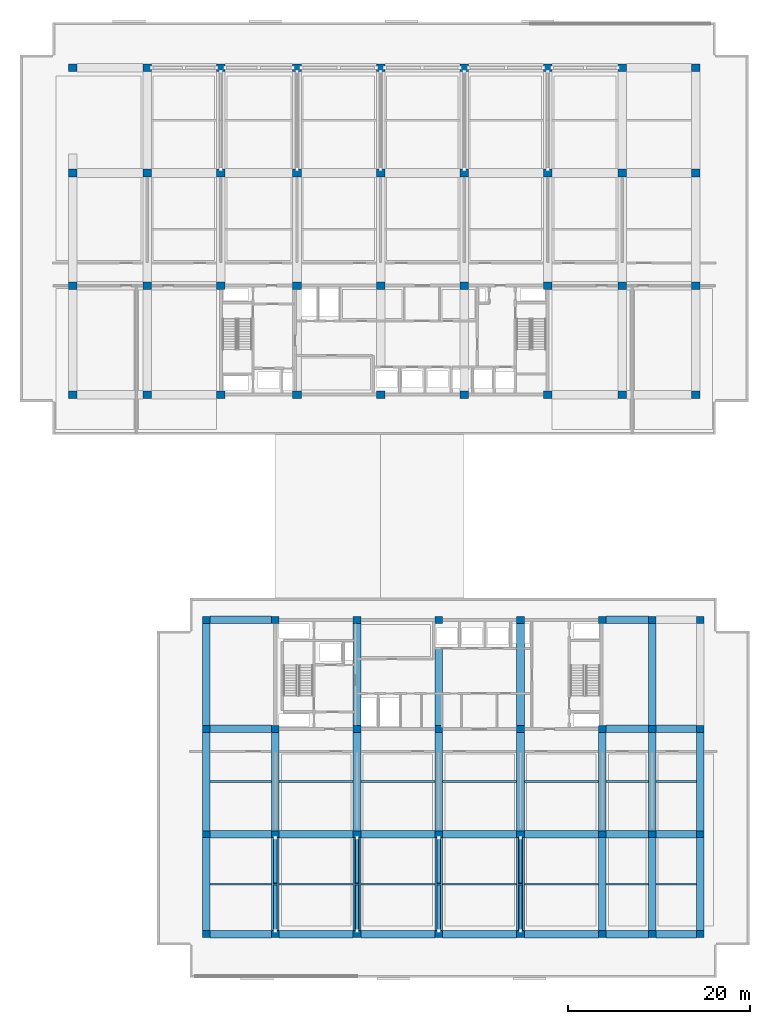
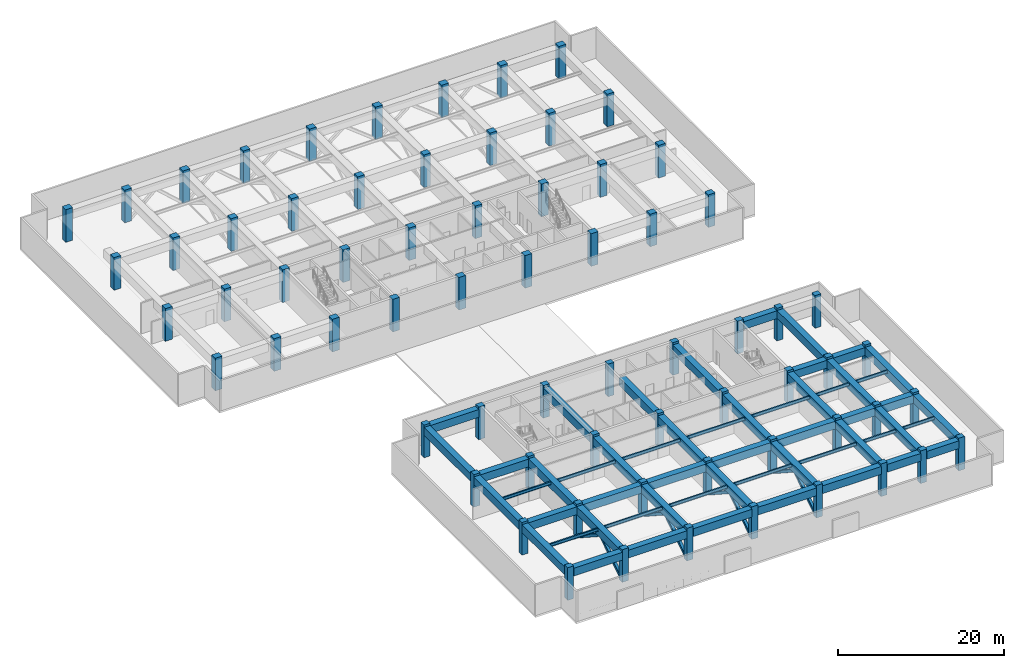
# One storey, part 1 of 22: 68 columns, 54 beams, 8 members.
"""IFC4 building model written with IfcOpenShell, lengths in metres."""

from ifc_helpers import new_model, si_unit, direction, frame, origin, origin_2d, place, context, subcontext, project, spatial, rectangle, hollow_rectangle, i_section, extrude, material, material_profile, profile_set, type_object, element, save


model = new_model("IFC4")

# Units and contexts
model_context = context("Model", 3, precision=1e-05, world=origin(), true_north=direction((0.0, 1.0)))
body_context = subcontext(model_context, "Body", "Model", "MODEL_VIEW")
ifc_project = project(units=[si_unit("LENGTHUNIT", "METRE"), si_unit("AREAUNIT", "SQUARE_METRE"), si_unit("VOLUMEUNIT", "CUBIC_METRE"), si_unit("PLANEANGLEUNIT", "RADIAN"), si_unit("MASSUNIT", "GRAM", prefix="KILO")], contexts=[model_context])

# Site, building, storey
site_placement = place(None, origin())
site = spatial("IfcSite", under=ifc_project, at=site_placement, CompositionType="ELEMENT")
building_placement = place(site_placement, origin())
building = spatial("IfcBuilding", under=site, at=building_placement, Name="Korimba Cascade Residences", CompositionType="ELEMENT")
storey_placement = place(building_placement, frame((0.0, 0.0, 157.300048828125)))
storey = spatial("IfcBuildingStorey", under=building, at=storey_placement, Name="L45", CompositionType="ELEMENT", Elevation=157.300048828125)

# Columns
ifc_material_1 = material(Name="Concrete C65/80", Category="concrete")
ifc_material_profile_1 = material_profile(ifc_material_1, rectangle(XDim=0.85009765625, YDim=0.75, at=origin_2d()), Name="Concrete C65/80")
ifc_profile_set_1 = profile_set([ifc_material_profile_1], Name="Concrete C65/80")
column_type_1 = type_object("IfcColumnType", Name="COL-RC-850", PredefinedType="COLUMN", material=ifc_profile_set_1)
for number, where, z_axis, x_axis, name in (
    (1, (74.5, -4.199951171875, 0.0), (0.0, 0.0, 1.0), (1.0, 0.0, 0.0), "L45 Tower 2 Column 1.1"),
    (2, (74.5, 6.800048828125, 0.0), (0.0, 0.0, 1.0), (1.0, 0.0, 0.0), "L45 Tower 2 Column 1.2"),
    (3, (74.5, 18.39990234375, 0.0), (0.0, 0.0, 1.0), (1.0, 0.0, 0.0), "L45 Tower 2 Column 1.3"),
    (4, (74.5, 30.39990234375, 0.0), (0.0, 0.0, 1.0), (1.0, 0.0, 0.0), "L45 Tower 2 Column 1.4"),
    (5, (82.10009765625, -4.199951171875, 0.0), (0.0, 0.0, 1.0), (1.0, 0.0, 0.0), "L45 Tower 2 Column 2.1"),
    (6, (82.10009765625, 6.800048828125, 0.0), (0.0, 0.0, 1.0), (1.0, 0.0, 0.0), "L45 Tower 2 Column 2.2"),
    (7, (82.10009765625, 18.39990234375, 0.0), (0.0, 0.0, 1.0), (1.0, 0.0, 0.0), "L45 Tower 2 Column 2.3"),
    (8, (82.10009765625, 30.39990234375, 0.0), (0.0, 0.0, 1.0), (1.0, 0.0, 0.0), "L45 Tower 2 Column 2.4"),
    (9, (91.10009765625, -4.199951171875, 0.0), (0.0, 0.0, 1.0), (1.0, 0.0, 0.0), "L45 Tower 2 Column 3.1"),
    (10, (91.10009765625, 6.800048828125, 0.0), (0.0, 0.0, 1.0), (1.0, 0.0, 0.0), "L45 Tower 2 Column 3.2"),
    (11, (91.10009765625, 18.39990234375, 0.0), (0.0, 0.0, 1.0), (1.0, 0.0, 0.0), "L45 Tower 2 Column 3.3"),
    (12, (91.10009765625, 30.39990234375, 0.0), (0.0, 0.0, 1.0), (1.0, 0.0, 0.0), "L45 Tower 2 Column 3.4"),
    (13, (100.10009765625, -4.199951171875, 0.0), (0.0, 0.0, 1.0), (1.0, 0.0, 0.0), "L45 Tower 2 Column 4.1"),
    (14, (100.10009765625, 6.800048828125, 0.0), (0.0, 0.0, 1.0), (1.0, 0.0, 0.0), "L45 Tower 2 Column 4.2"),
    (15, (100.10009765625, 18.39990234375, 0.0), (0.0, 0.0, 1.0), (1.0, 0.0, 0.0), "L45 Tower 2 Column 4.3"),
    (16, (100.10009765625, 30.39990234375, 0.0), (0.0, 0.0, 1.0), (1.0, 0.0, 0.0), "L45 Tower 2 Column 4.4"),
    (17, (109.10009765625, -4.199951171875, 0.0), (0.0, 0.0, 1.0), (1.0, 0.0, 0.0), "L45 Tower 2 Column 5.1"),
    (18, (109.10009765625, 6.800048828125, 0.0), (0.0, 0.0, 1.0), (1.0, 0.0, 0.0), "L45 Tower 2 Column 5.2"),
    (19, (109.10009765625, 18.39990234375, 0.0), (0.0, 0.0, 1.0), (1.0, 0.0, 0.0), "L45 Tower 2 Column 5.3"),
    (20, (109.10009765625, 30.39990234375, 0.0), (0.0, 0.0, 1.0), (1.0, 0.0, 0.0), "L45 Tower 2 Column 5.4"),
    (21, (118.10009765625, -4.199951171875, 0.0), (0.0, 0.0, 1.0), (1.0, 0.0, 0.0), "L45 Tower 2 Column 6.1"),
    (22, (118.10009765625, 6.800048828125, 0.0), (0.0, 0.0, 1.0), (1.0, 0.0, 0.0), "L45 Tower 2 Column 6.2"),
    (23, (118.10009765625, 18.39990234375, 0.0), (0.0, 0.0, 1.0), (1.0, 0.0, 0.0), "L45 Tower 2 Column 6.3"),
    (24, (118.10009765625, 30.39990234375, 0.0), (0.0, 0.0, 1.0), (1.0, 0.0, 0.0), "L45 Tower 2 Column 6.4"),
    (25, (123.60009765625, -4.199951171875, 0.0), (0.0, 0.0, 1.0), (1.0, 0.0, 0.0), "L45 Tower 2 Column 7.1"),
    (26, (123.60009765625, 6.800048828125, 0.0), (0.0, 0.0, 1.0), (1.0, 0.0, 0.0), "L45 Tower 2 Column 7.2"),
    (27, (123.60009765625, 18.39990234375, 0.0), (0.0, 0.0, 1.0), (1.0, 0.0, 0.0), "L45 Tower 2 Column 7.3"),
    (28, (123.60009765625, 30.39990234375, 0.0), (0.0, 0.0, 1.0), (1.0, 0.0, 0.0), "L45 Tower 2 Column 7.4"),
    (29, (128.89990234375, -4.199951171875, 0.0), (0.0, 0.0, 1.0), (1.0, 0.0, 0.0), "L45 Tower 2 Column 8.1"),
    (30, (128.89990234375, 6.800048828125, 0.0), (0.0, 0.0, 1.0), (1.0, 0.0, 0.0), "L45 Tower 2 Column 8.2"),
    (31, (128.89990234375, 18.39990234375, 0.0), (0.0, 0.0, 1.0), (1.0, 0.0, 0.0), "L45 Tower 2 Column 8.3"),
    (32, (128.89990234375, 30.39990234375, 0.0), (0.0, 0.0, 1.0), (1.0, 0.0, 0.0), "L45 Tower 2 Column 8.4"),
):
    element("IfcColumn", number, at=place(storey_placement, frame(where, z_axis=z_axis, x_axis=x_axis)), inside=storey, type_object=column_type_1, Name=name, PredefinedType="COLUMN", context=body_context, shape_type="SweptSolid", body=[
        extrude(rectangle(XDim=0.85009765625, YDim=0.75, at=origin_2d()), origin(), (0.0, 0.0, 1.0), 4.800048828125),
    ])
ifc_material_profile_2 = material_profile(ifc_material_1, rectangle(XDim=0.949951171875, YDim=0.85009765625, at=origin_2d()), Name="Concrete C65/80")
ifc_profile_set_2 = profile_set([ifc_material_profile_2], Name="Concrete C65/80")
column_type_2 = type_object("IfcColumnType", Name="COL-RC-950", PredefinedType="COLUMN", material=ifc_profile_set_2)
for number, where, z_axis, x_axis, name in (
    (33, (59.800048828125, 55.199951171875, 0.0), (0.0, 0.0, 1.0), (1.0, 0.0, 0.0), "L45 Tower 1 Column 1.1"),
    (34, (59.800048828125, 67.199951171875, 0.0), (0.0, 0.0, 1.0), (1.0, 0.0, 0.0), "L45 Tower 1 Column 1.2"),
    (35, (59.800048828125, 79.60009765625, 0.0), (0.0, 0.0, 1.0), (1.0, 0.0, 0.0), "L45 Tower 1 Column 1.3"),
    (36, (59.800048828125, 91.199951171875, 0.0), (0.0, 0.0, 1.0), (1.0, 0.0, 0.0), "L45 Tower 1 Column 1.4"),
    (37, (68.0, 55.199951171875, 0.0), (0.0, 0.0, 1.0), (1.0, 0.0, 0.0), "L45 Tower 1 Column 2.1"),
    (38, (68.0, 67.199951171875, 0.0), (0.0, 0.0, 1.0), (1.0, 0.0, 0.0), "L45 Tower 1 Column 2.2"),
    (39, (68.0, 79.60009765625, 0.0), (0.0, 0.0, 1.0), (1.0, 0.0, 0.0), "L45 Tower 1 Column 2.3"),
    (40, (68.0, 91.199951171875, 0.0), (0.0, 0.0, 1.0), (1.0, 0.0, 0.0), "L45 Tower 1 Column 2.4"),
    (41, (76.10009765625, 55.199951171875, 0.0), (0.0, 0.0, 1.0), (1.0, 0.0, 0.0), "L45 Tower 1 Column 3.1"),
    (42, (76.10009765625, 67.199951171875, 0.0), (0.0, 0.0, 1.0), (1.0, 0.0, 0.0), "L45 Tower 1 Column 3.2"),
    (43, (76.10009765625, 79.60009765625, 0.0), (0.0, 0.0, 1.0), (1.0, 0.0, 0.0), "L45 Tower 1 Column 3.3"),
    (44, (76.10009765625, 91.199951171875, 0.0), (0.0, 0.0, 1.0), (1.0, 0.0, 0.0), "L45 Tower 1 Column 3.4"),
    (45, (84.5, 55.199951171875, 0.0), (0.0, 0.0, 1.0), (1.0, 0.0, 0.0), "L45 Tower 1 Column 4.1"),
    (46, (84.5, 67.199951171875, 0.0), (0.0, 0.0, 1.0), (1.0, 0.0, 0.0), "L45 Tower 1 Column 4.2"),
    (47, (84.5, 79.60009765625, 0.0), (0.0, 0.0, 1.0), (1.0, 0.0, 0.0), "L45 Tower 1 Column 4.3"),
    (48, (84.5, 91.199951171875, 0.0), (0.0, 0.0, 1.0), (1.0, 0.0, 0.0), "L45 Tower 1 Column 4.4"),
    (49, (93.699951171875, 55.199951171875, 0.0), (0.0, 0.0, 1.0), (1.0, 0.0, 0.0), "L45 Tower 1 Column 5.1"),
    (50, (93.699951171875, 67.199951171875, 0.0), (0.0, 0.0, 1.0), (1.0, 0.0, 0.0), "L45 Tower 1 Column 5.2"),
    (51, (93.699951171875, 79.60009765625, 0.0), (0.0, 0.0, 1.0), (1.0, 0.0, 0.0), "L45 Tower 1 Column 5.3"),
    (52, (93.699951171875, 91.199951171875, 0.0), (0.0, 0.0, 1.0), (1.0, 0.0, 0.0), "L45 Tower 1 Column 5.4"),
    (53, (102.89990234375, 55.199951171875, 0.0), (0.0, 0.0, 1.0), (1.0, 0.0, 0.0), "L45 Tower 1 Column 6.1"),
    (54, (102.89990234375, 67.199951171875, 0.0), (0.0, 0.0, 1.0), (1.0, 0.0, 0.0), "L45 Tower 1 Column 6.2"),
    (55, (102.89990234375, 79.60009765625, 0.0), (0.0, 0.0, 1.0), (1.0, 0.0, 0.0), "L45 Tower 1 Column 6.3"),
    (56, (102.89990234375, 91.199951171875, 0.0), (0.0, 0.0, 1.0), (1.0, 0.0, 0.0), "L45 Tower 1 Column 6.4"),
    (57, (112.10009765625, 55.199951171875, 0.0), (0.0, 0.0, 1.0), (1.0, 0.0, 0.0), "L45 Tower 1 Column 7.1"),
    (58, (112.10009765625, 67.199951171875, 0.0), (0.0, 0.0, 1.0), (1.0, 0.0, 0.0), "L45 Tower 1 Column 7.2"),
    (59, (112.10009765625, 79.60009765625, 0.0), (0.0, 0.0, 1.0), (1.0, 0.0, 0.0), "L45 Tower 1 Column 7.3"),
    (60, (112.10009765625, 91.199951171875, 0.0), (0.0, 0.0, 1.0), (1.0, 0.0, 0.0), "L45 Tower 1 Column 7.4"),
    (61, (120.300048828125, 55.199951171875, 0.0), (0.0, 0.0, 1.0), (1.0, 0.0, 0.0), "L45 Tower 1 Column 8.1"),
    (62, (120.300048828125, 67.199951171875, 0.0), (0.0, 0.0, 1.0), (1.0, 0.0, 0.0), "L45 Tower 1 Column 8.2"),
    (63, (120.300048828125, 79.60009765625, 0.0), (0.0, 0.0, 1.0), (1.0, 0.0, 0.0), "L45 Tower 1 Column 8.3"),
    (64, (120.300048828125, 91.199951171875, 0.0), (0.0, 0.0, 1.0), (1.0, 0.0, 0.0), "L45 Tower 1 Column 8.4"),
    (65, (128.39990234375, 55.199951171875, 0.0), (0.0, 0.0, 1.0), (1.0, 0.0, 0.0), "L45 Tower 1 Column 9.1"),
    (66, (128.39990234375, 67.199951171875, 0.0), (0.0, 0.0, 1.0), (1.0, 0.0, 0.0), "L45 Tower 1 Column 9.2"),
    (67, (128.39990234375, 79.60009765625, 0.0), (0.0, 0.0, 1.0), (1.0, 0.0, 0.0), "L45 Tower 1 Column 9.3"),
    (68, (128.39990234375, 91.199951171875, 0.0), (0.0, 0.0, 1.0), (1.0, 0.0, 0.0), "L45 Tower 1 Column 9.4"),
):
    element("IfcColumn", number, at=place(storey_placement, frame(where, z_axis=z_axis, x_axis=x_axis)), inside=storey, type_object=column_type_2, Name=name, PredefinedType="COLUMN", context=body_context, shape_type="SweptSolid", body=[
        extrude(rectangle(XDim=0.949951171875, YDim=0.85009765625, at=origin_2d()), origin(), (0.0, 0.0, 1.0), 4.800048828125),
    ])

# Beams
ifc_material_2 = material(Name="Steel S355", Category="steel")
ifc_material_profile_3 = material_profile(ifc_material_2, i_section(OverallWidth=0.19140625, OverallDepth=0.4599609375, WebThickness=0.010009765625, FlangeThickness=0.01611328125, FilletRadius=0.01025390625, at=origin_2d()), Name="Steel S355")
ifc_profile_set_3 = profile_set([ifc_material_profile_3], Name="Steel S355")
beam_type_1 = type_object("IfcBeamType", Name="BM-STL-UB457", PredefinedType="JOIST", material=ifc_profile_set_3)
beam_1_placement = place(storey_placement, frame((74.925048828125, 1.300048828125, 4.25), z_axis=(1.0, 0.0, 0.0), x_axis=(0.0, 1.0, 0.0)))
element("IfcBeam", 69, at=beam_1_placement, inside=storey, type_object=beam_type_1, Name="L45 T2 Floor Joist 1.1", PredefinedType="JOIST", context=body_context, shape_type="SweptSolid", body=[
    extrude(i_section(OverallWidth=0.19140625, OverallDepth=0.4599609375, WebThickness=0.010009765625, FlangeThickness=0.01611328125, FilletRadius=0.01025390625, at=origin_2d()), origin(), (0.0, 0.0, 1.0), 6.75),
])
for number, where, z_axis, x_axis, name in (
    (70, (82.52490234375, 1.300048828125, 4.25), (1.0, 0.0, 0.0), (0.0, 1.0, 0.0), "L45 T2 Floor Joist 1.2"),
    (71, (91.52490234375, 1.300048828125, 4.25), (1.0, 0.0, 0.0), (0.0, 1.0, 0.0), "L45 T2 Floor Joist 1.3"),
    (72, (100.52490234375, 1.300048828125, 4.25), (1.0, 0.0, 0.0), (0.0, 1.0, 0.0), "L45 T2 Floor Joist 1.4"),
    (73, (109.52490234375, 1.300048828125, 4.25), (1.0, 0.0, 0.0), (0.0, 1.0, 0.0), "L45 T2 Floor Joist 1.5"),
):
    element("IfcBeam", number, at=place(storey_placement, frame(where, z_axis=z_axis, x_axis=x_axis)), inside=storey, type_object=beam_type_1, Name=name, PredefinedType="JOIST", context=body_context, shape_type="SweptSolid", body=[
        extrude(i_section(OverallWidth=0.19140625, OverallDepth=0.4599609375, WebThickness=0.010009765625, FlangeThickness=0.01611328125, FilletRadius=0.01025390625, at=origin_2d()), origin(), (0.0, 0.0, 1.0), 8.150146484375),
    ])
beam_2_placement = place(storey_placement, frame((118.52490234375, 1.300048828125, 4.25), z_axis=(1.0, 0.0, 0.0), x_axis=(0.0, 1.0, 0.0)))
element("IfcBeam", 74, at=beam_2_placement, inside=storey, type_object=beam_type_1, Name="L45 T2 Floor Joist 1.6", PredefinedType="JOIST", context=body_context, shape_type="SweptSolid", body=[
    extrude(i_section(OverallWidth=0.19140625, OverallDepth=0.4599609375, WebThickness=0.010009765625, FlangeThickness=0.01611328125, FilletRadius=0.01025390625, at=origin_2d()), origin(), (0.0, 0.0, 1.0), 4.650146484375),
])
beam_3_placement = place(storey_placement, frame((124.02490234375, 1.300048828125, 4.25), z_axis=(1.0, 0.0, 0.0), x_axis=(0.0, 1.0, 0.0)))
element("IfcBeam", 75, at=beam_3_placement, inside=storey, type_object=beam_type_1, Name="L45 T2 Floor Joist 1.7", PredefinedType="JOIST", context=body_context, shape_type="SweptSolid", body=[
    extrude(i_section(OverallWidth=0.19140625, OverallDepth=0.4599609375, WebThickness=0.010009765625, FlangeThickness=0.01611328125, FilletRadius=0.01025390625, at=origin_2d()), origin(), (0.0, 0.0, 1.0), 4.4501953125),
])
beam_4_placement = place(storey_placement, frame((74.925048828125, 12.60009765625, 4.25), z_axis=(1.0, 0.0, 0.0), x_axis=(0.0, 1.0, 0.0)))
element("IfcBeam", 76, at=beam_4_placement, inside=storey, type_object=beam_type_1, Name="L45 T2 Floor Joist 2.1", PredefinedType="JOIST", context=body_context, shape_type="SweptSolid", body=[
    extrude(i_section(OverallWidth=0.19140625, OverallDepth=0.4599609375, WebThickness=0.010009765625, FlangeThickness=0.01611328125, FilletRadius=0.01025390625, at=origin_2d()), origin(), (0.0, 0.0, 1.0), 6.75),
])
for number, where, z_axis, x_axis, name in (
    (77, (82.52490234375, 12.60009765625, 4.25), (1.0, 0.0, 0.0), (0.0, 1.0, 0.0), "L45 T2 Floor Joist 2.2"),
    (78, (91.52490234375, 12.60009765625, 4.25), (1.0, 0.0, 0.0), (0.0, 1.0, 0.0), "L45 T2 Floor Joist 2.3"),
    (79, (100.52490234375, 12.60009765625, 4.25), (1.0, 0.0, 0.0), (0.0, 1.0, 0.0), "L45 T2 Floor Joist 2.4"),
    (80, (109.52490234375, 12.60009765625, 4.25), (1.0, 0.0, 0.0), (0.0, 1.0, 0.0), "L45 T2 Floor Joist 2.5"),
):
    element("IfcBeam", number, at=place(storey_placement, frame(where, z_axis=z_axis, x_axis=x_axis)), inside=storey, type_object=beam_type_1, Name=name, PredefinedType="JOIST", context=body_context, shape_type="SweptSolid", body=[
        extrude(i_section(OverallWidth=0.19140625, OverallDepth=0.4599609375, WebThickness=0.010009765625, FlangeThickness=0.01611328125, FilletRadius=0.01025390625, at=origin_2d()), origin(), (0.0, 0.0, 1.0), 8.150146484375),
    ])
beam_5_placement = place(storey_placement, frame((118.52490234375, 12.60009765625, 4.25), z_axis=(1.0, 0.0, 0.0), x_axis=(0.0, 1.0, 0.0)))
element("IfcBeam", 81, at=beam_5_placement, inside=storey, type_object=beam_type_1, Name="L45 T2 Floor Joist 2.6", PredefinedType="JOIST", context=body_context, shape_type="SweptSolid", body=[
    extrude(i_section(OverallWidth=0.19140625, OverallDepth=0.4599609375, WebThickness=0.010009765625, FlangeThickness=0.01611328125, FilletRadius=0.01025390625, at=origin_2d()), origin(), (0.0, 0.0, 1.0), 4.650146484375),
])
beam_6_placement = place(storey_placement, frame((124.02490234375, 12.60009765625, 4.25), z_axis=(1.0, 0.0, 0.0), x_axis=(0.0, 1.0, 0.0)))
element("IfcBeam", 82, at=beam_6_placement, inside=storey, type_object=beam_type_1, Name="L45 T2 Floor Joist 2.7", PredefinedType="JOIST", context=body_context, shape_type="SweptSolid", body=[
    extrude(i_section(OverallWidth=0.19140625, OverallDepth=0.4599609375, WebThickness=0.010009765625, FlangeThickness=0.01611328125, FilletRadius=0.01025390625, at=origin_2d()), origin(), (0.0, 0.0, 1.0), 4.4501953125),
])
ifc_material_profile_4 = material_profile(ifc_material_1, rectangle(XDim=0.85009765625, YDim=1.14990234375, at=origin_2d()), Name="Concrete C65/80")
ifc_profile_set_4 = profile_set([ifc_material_profile_4], Name="Concrete C65/80")
beam_type_2 = type_object("IfcBeamType", Name="BM-TRF-1150", PredefinedType="T_BEAM", material=ifc_profile_set_4)
beam_7_placement = place(storey_placement, frame((74.925048828125, -4.199951171875, 3.905029296875), z_axis=(1.0, 0.0, 0.0), x_axis=(0.0, 1.0, 0.0)))
element("IfcBeam", 83, at=beam_7_placement, inside=storey, type_object=beam_type_2, Name="L45 T2 E-W Girder Y1 Bay 1", PredefinedType="T_BEAM", context=body_context, shape_type="SweptSolid", body=[
    extrude(rectangle(XDim=0.85009765625, YDim=1.14990234375, at=origin_2d()), origin(), (0.0, 0.0, 1.0), 6.75),
])
for number, where, z_axis, x_axis, name in (
    (84, (82.52490234375, -4.199951171875, 3.905029296875), (1.0, 0.0, 0.0), (0.0, 1.0, 0.0), "L45 T2 E-W Girder Y1 Bay 2"),
    (85, (91.52490234375, -4.199951171875, 3.905029296875), (1.0, 0.0, 0.0), (0.0, 1.0, 0.0), "L45 T2 E-W Girder Y1 Bay 3"),
    (86, (100.52490234375, -4.199951171875, 3.905029296875), (1.0, 0.0, 0.0), (0.0, 1.0, 0.0), "L45 T2 E-W Girder Y1 Bay 4"),
    (87, (109.52490234375, -4.199951171875, 3.905029296875), (1.0, 0.0, 0.0), (0.0, 1.0, 0.0), "L45 T2 E-W Girder Y1 Bay 5"),
):
    element("IfcBeam", number, at=place(storey_placement, frame(where, z_axis=z_axis, x_axis=x_axis)), inside=storey, type_object=beam_type_2, Name=name, PredefinedType="T_BEAM", context=body_context, shape_type="SweptSolid", body=[
        extrude(rectangle(XDim=0.85009765625, YDim=1.14990234375, at=origin_2d()), origin(), (0.0, 0.0, 1.0), 8.150146484375),
    ])
beam_8_placement = place(storey_placement, frame((118.52490234375, -4.199951171875, 3.905029296875), z_axis=(1.0, 0.0, 0.0), x_axis=(0.0, 1.0, 0.0)))
element("IfcBeam", 88, at=beam_8_placement, inside=storey, type_object=beam_type_2, Name="L45 T2 E-W Girder Y1 Bay 6", PredefinedType="T_BEAM", context=body_context, shape_type="SweptSolid", body=[
    extrude(rectangle(XDim=0.85009765625, YDim=1.14990234375, at=origin_2d()), origin(), (0.0, 0.0, 1.0), 4.650146484375),
])
beam_9_placement = place(storey_placement, frame((124.02490234375, -4.199951171875, 3.905029296875), z_axis=(1.0, 0.0, 0.0), x_axis=(0.0, 1.0, 0.0)))
element("IfcBeam", 89, at=beam_9_placement, inside=storey, type_object=beam_type_2, Name="L45 T2 E-W Girder Y1 Bay 7", PredefinedType="T_BEAM", context=body_context, shape_type="SweptSolid", body=[
    extrude(rectangle(XDim=0.85009765625, YDim=1.14990234375, at=origin_2d()), origin(), (0.0, 0.0, 1.0), 4.4501953125),
])
beam_10_placement = place(storey_placement, frame((74.925048828125, 6.800048828125, 3.905029296875), z_axis=(1.0, 0.0, 0.0), x_axis=(0.0, 1.0, 0.0)))
element("IfcBeam", 90, at=beam_10_placement, inside=storey, type_object=beam_type_2, Name="L45 T2 E-W Girder Y2 Bay 1", PredefinedType="T_BEAM", context=body_context, shape_type="SweptSolid", body=[
    extrude(rectangle(XDim=0.85009765625, YDim=1.14990234375, at=origin_2d()), origin(), (0.0, 0.0, 1.0), 6.75),
])
for number, where, z_axis, x_axis, name in (
    (91, (82.52490234375, 6.800048828125, 3.905029296875), (1.0, 0.0, 0.0), (0.0, 1.0, 0.0), "L45 T2 E-W Girder Y2 Bay 2"),
    (92, (91.52490234375, 6.800048828125, 3.905029296875), (1.0, 0.0, 0.0), (0.0, 1.0, 0.0), "L45 T2 E-W Girder Y2 Bay 3"),
    (93, (100.52490234375, 6.800048828125, 3.905029296875), (1.0, 0.0, 0.0), (0.0, 1.0, 0.0), "L45 T2 E-W Girder Y2 Bay 4"),
    (94, (109.52490234375, 6.800048828125, 3.905029296875), (1.0, 0.0, 0.0), (0.0, 1.0, 0.0), "L45 T2 E-W Girder Y2 Bay 5"),
):
    element("IfcBeam", number, at=place(storey_placement, frame(where, z_axis=z_axis, x_axis=x_axis)), inside=storey, type_object=beam_type_2, Name=name, PredefinedType="T_BEAM", context=body_context, shape_type="SweptSolid", body=[
        extrude(rectangle(XDim=0.85009765625, YDim=1.14990234375, at=origin_2d()), origin(), (0.0, 0.0, 1.0), 8.150146484375),
    ])
beam_11_placement = place(storey_placement, frame((118.52490234375, 6.800048828125, 3.905029296875), z_axis=(1.0, 0.0, 0.0), x_axis=(0.0, 1.0, 0.0)))
element("IfcBeam", 95, at=beam_11_placement, inside=storey, type_object=beam_type_2, Name="L45 T2 E-W Girder Y2 Bay 6", PredefinedType="T_BEAM", context=body_context, shape_type="SweptSolid", body=[
    extrude(rectangle(XDim=0.85009765625, YDim=1.14990234375, at=origin_2d()), origin(), (0.0, 0.0, 1.0), 4.650146484375),
])
beam_12_placement = place(storey_placement, frame((124.02490234375, 6.800048828125, 3.905029296875), z_axis=(1.0, 0.0, 0.0), x_axis=(0.0, 1.0, 0.0)))
element("IfcBeam", 96, at=beam_12_placement, inside=storey, type_object=beam_type_2, Name="L45 T2 E-W Girder Y2 Bay 7", PredefinedType="T_BEAM", context=body_context, shape_type="SweptSolid", body=[
    extrude(rectangle(XDim=0.85009765625, YDim=1.14990234375, at=origin_2d()), origin(), (0.0, 0.0, 1.0), 4.4501953125),
])
beam_13_placement = place(storey_placement, frame((74.925048828125, 18.39990234375, 3.905029296875), z_axis=(1.0, 0.0, 0.0), x_axis=(0.0, 1.0, 0.0)))
element("IfcBeam", 97, at=beam_13_placement, inside=storey, type_object=beam_type_2, Name="L45 T2 E-W Girder Y3 Bay 1", PredefinedType="T_BEAM", context=body_context, shape_type="SweptSolid", body=[
    extrude(rectangle(XDim=0.85009765625, YDim=1.14990234375, at=origin_2d()), origin(), (0.0, 0.0, 1.0), 6.75),
])
beam_14_placement = place(storey_placement, frame((118.52490234375, 18.39990234375, 3.905029296875), z_axis=(1.0, 0.0, 0.0), x_axis=(0.0, 1.0, 0.0)))
element("IfcBeam", 98, at=beam_14_placement, inside=storey, type_object=beam_type_2, Name="L45 T2 E-W Girder Y3 Bay 6", PredefinedType="T_BEAM", context=body_context, shape_type="SweptSolid", body=[
    extrude(rectangle(XDim=0.85009765625, YDim=1.14990234375, at=origin_2d()), origin(), (0.0, 0.0, 1.0), 4.650146484375),
])
beam_15_placement = place(storey_placement, frame((124.02490234375, 18.39990234375, 3.905029296875), z_axis=(1.0, 0.0, 0.0), x_axis=(0.0, 1.0, 0.0)))
element("IfcBeam", 99, at=beam_15_placement, inside=storey, type_object=beam_type_2, Name="L45 T2 E-W Girder Y3 Bay 7", PredefinedType="T_BEAM", context=body_context, shape_type="SweptSolid", body=[
    extrude(rectangle(XDim=0.85009765625, YDim=1.14990234375, at=origin_2d()), origin(), (0.0, 0.0, 1.0), 4.4501953125),
])
beam_16_placement = place(storey_placement, frame((74.925048828125, 30.39990234375, 3.905029296875), z_axis=(1.0, 0.0, 0.0), x_axis=(0.0, 1.0, 0.0)))
element("IfcBeam", 100, at=beam_16_placement, inside=storey, type_object=beam_type_2, Name="L45 T2 E-W Girder Y4 Bay 1", PredefinedType="T_BEAM", context=body_context, shape_type="SweptSolid", body=[
    extrude(rectangle(XDim=0.85009765625, YDim=1.14990234375, at=origin_2d()), origin(), (0.0, 0.0, 1.0), 6.75),
])
beam_17_placement = place(storey_placement, frame((118.52490234375, 30.39990234375, 3.905029296875), z_axis=(1.0, 0.0, 0.0), x_axis=(0.0, 1.0, 0.0)))
element("IfcBeam", 101, at=beam_17_placement, inside=storey, type_object=beam_type_2, Name="L45 T2 E-W Girder Y4 Bay 6", PredefinedType="T_BEAM", context=body_context, shape_type="SweptSolid", body=[
    extrude(rectangle(XDim=0.85009765625, YDim=1.14990234375, at=origin_2d()), origin(), (0.0, 0.0, 1.0), 4.650146484375),
])
beam_18_placement = place(storey_placement, frame((74.5, -3.824951171875, 3.905029296875), z_axis=(0.0, 1.0, 0.0), x_axis=(-1.0, 0.0, 0.0)))
element("IfcBeam", 102, at=beam_18_placement, inside=storey, type_object=beam_type_2, Name="L45 T2 N-S Girder X1 Seg 1", PredefinedType="T_BEAM", context=body_context, shape_type="SweptSolid", body=[
    extrude(rectangle(XDim=0.85009765625, YDim=1.14990234375, at=origin_2d()), origin(), (0.0, 0.0, 1.0), 10.25),
])
beam_19_placement = place(storey_placement, frame((74.5, 7.175048828125, 3.905029296875), z_axis=(0.0, 1.0, 0.0), x_axis=(-1.0, 0.0, 0.0)))
element("IfcBeam", 103, at=beam_19_placement, inside=storey, type_object=beam_type_2, Name="L45 T2 N-S Girder X1 Seg 2", PredefinedType="T_BEAM", context=body_context, shape_type="SweptSolid", body=[
    extrude(rectangle(XDim=0.85009765625, YDim=1.14990234375, at=origin_2d()), origin(), (0.0, 0.0, 1.0), 10.849853515625),
])
beam_20_placement = place(storey_placement, frame((74.5, 18.77490234375, 3.905029296875), z_axis=(0.0, 1.0, 0.0), x_axis=(-1.0, 0.0, 0.0)))
element("IfcBeam", 104, at=beam_20_placement, inside=storey, type_object=beam_type_2, Name="L45 T2 N-S Girder X1 Seg 3", PredefinedType="T_BEAM", context=body_context, shape_type="SweptSolid", body=[
    extrude(rectangle(XDim=0.85009765625, YDim=1.14990234375, at=origin_2d()), origin(), (0.0, 0.0, 1.0), 11.25),
])
beam_21_placement = place(storey_placement, frame((82.10009765625, -3.824951171875, 3.905029296875), z_axis=(0.0, 1.0, 0.0), x_axis=(-1.0, 0.0, 0.0)))
element("IfcBeam", 105, at=beam_21_placement, inside=storey, type_object=beam_type_2, Name="L45 T2 N-S Girder X2 Seg 1", PredefinedType="T_BEAM", context=body_context, shape_type="SweptSolid", body=[
    extrude(rectangle(XDim=0.85009765625, YDim=1.14990234375, at=origin_2d()), origin(), (0.0, 0.0, 1.0), 10.25),
])
beam_22_placement = place(storey_placement, frame((82.10009765625, 7.175048828125, 3.905029296875), z_axis=(0.0, 1.0, 0.0), x_axis=(-1.0, 0.0, 0.0)))
element("IfcBeam", 106, at=beam_22_placement, inside=storey, type_object=beam_type_2, Name="L45 T2 N-S Girder X2 Seg 2", PredefinedType="T_BEAM", context=body_context, shape_type="SweptSolid", body=[
    extrude(rectangle(XDim=0.85009765625, YDim=1.14990234375, at=origin_2d()), origin(), (0.0, 0.0, 1.0), 10.849853515625),
])
beam_23_placement = place(storey_placement, frame((91.10009765625, -3.824951171875, 3.905029296875), z_axis=(0.0, 1.0, 0.0), x_axis=(-1.0, 0.0, 0.0)))
element("IfcBeam", 107, at=beam_23_placement, inside=storey, type_object=beam_type_2, Name="L45 T2 N-S Girder X3 Seg 1", PredefinedType="T_BEAM", context=body_context, shape_type="SweptSolid", body=[
    extrude(rectangle(XDim=0.85009765625, YDim=1.14990234375, at=origin_2d()), origin(), (0.0, 0.0, 1.0), 10.25),
])
beam_24_placement = place(storey_placement, frame((91.10009765625, 7.175048828125, 3.905029296875), z_axis=(0.0, 1.0, 0.0), x_axis=(-1.0, 0.0, 0.0)))
element("IfcBeam", 108, at=beam_24_placement, inside=storey, type_object=beam_type_2, Name="L45 T2 N-S Girder X3 Seg 2", PredefinedType="T_BEAM", context=body_context, shape_type="SweptSolid", body=[
    extrude(rectangle(XDim=0.85009765625, YDim=1.14990234375, at=origin_2d()), origin(), (0.0, 0.0, 1.0), 10.849853515625),
])
beam_25_placement = place(storey_placement, frame((91.10009765625, 18.77490234375, 3.905029296875), z_axis=(0.0, 1.0, 0.0), x_axis=(-1.0, 0.0, 0.0)))
element("IfcBeam", 109, at=beam_25_placement, inside=storey, type_object=beam_type_2, Name="L45 T2 N-S Girder X3 Seg 3", PredefinedType="T_BEAM", context=body_context, shape_type="SweptSolid", body=[
    extrude(rectangle(XDim=0.85009765625, YDim=1.14990234375, at=origin_2d()), origin(), (0.0, 0.0, 1.0), 11.25),
])
beam_26_placement = place(storey_placement, frame((100.10009765625, -3.824951171875, 3.905029296875), z_axis=(0.0, 1.0, 0.0), x_axis=(-1.0, 0.0, 0.0)))
element("IfcBeam", 110, at=beam_26_placement, inside=storey, type_object=beam_type_2, Name="L45 T2 N-S Girder X4 Seg 1", PredefinedType="T_BEAM", context=body_context, shape_type="SweptSolid", body=[
    extrude(rectangle(XDim=0.85009765625, YDim=1.14990234375, at=origin_2d()), origin(), (0.0, 0.0, 1.0), 10.25),
])
beam_27_placement = place(storey_placement, frame((100.10009765625, 7.175048828125, 3.905029296875), z_axis=(0.0, 1.0, 0.0), x_axis=(-1.0, 0.0, 0.0)))
element("IfcBeam", 111, at=beam_27_placement, inside=storey, type_object=beam_type_2, Name="L45 T2 N-S Girder X4 Seg 2", PredefinedType="T_BEAM", context=body_context, shape_type="SweptSolid", body=[
    extrude(rectangle(XDim=0.85009765625, YDim=1.14990234375, at=origin_2d()), origin(), (0.0, 0.0, 1.0), 10.849853515625),
])
beam_28_placement = place(storey_placement, frame((100.10009765625, 18.77490234375, 3.905029296875), z_axis=(0.0, 1.0, 0.0), x_axis=(-1.0, 0.0, 0.0)))
element("IfcBeam", 112, at=beam_28_placement, inside=storey, type_object=beam_type_2, Name="L45 T2 N-S Girder X4 Seg 3", PredefinedType="T_BEAM", context=body_context, shape_type="SweptSolid", body=[
    extrude(rectangle(XDim=0.85009765625, YDim=1.14990234375, at=origin_2d()), origin(), (0.0, 0.0, 1.0), 8.565185546875),
])
beam_29_placement = place(storey_placement, frame((109.10009765625, -3.824951171875, 3.905029296875), z_axis=(0.0, 1.0, 0.0), x_axis=(-1.0, 0.0, 0.0)))
element("IfcBeam", 113, at=beam_29_placement, inside=storey, type_object=beam_type_2, Name="L45 T2 N-S Girder X5 Seg 1", PredefinedType="T_BEAM", context=body_context, shape_type="SweptSolid", body=[
    extrude(rectangle(XDim=0.85009765625, YDim=1.14990234375, at=origin_2d()), origin(), (0.0, 0.0, 1.0), 10.25),
])
beam_30_placement = place(storey_placement, frame((109.10009765625, 7.175048828125, 3.905029296875), z_axis=(0.0, 1.0, 0.0), x_axis=(-1.0, 0.0, 0.0)))
element("IfcBeam", 114, at=beam_30_placement, inside=storey, type_object=beam_type_2, Name="L45 T2 N-S Girder X5 Seg 2", PredefinedType="T_BEAM", context=body_context, shape_type="SweptSolid", body=[
    extrude(rectangle(XDim=0.85009765625, YDim=1.14990234375, at=origin_2d()), origin(), (0.0, 0.0, 1.0), 10.849853515625),
])
beam_31_placement = place(storey_placement, frame((109.10009765625, 18.77490234375, 3.905029296875), z_axis=(0.0, 1.0, 0.0), x_axis=(-1.0, 0.0, 0.0)))
element("IfcBeam", 115, at=beam_31_placement, inside=storey, type_object=beam_type_2, Name="L45 T2 N-S Girder X5 Seg 3", PredefinedType="T_BEAM", context=body_context, shape_type="SweptSolid", body=[
    extrude(rectangle(XDim=0.85009765625, YDim=1.14990234375, at=origin_2d()), origin(), (0.0, 0.0, 1.0), 11.25),
])
beam_32_placement = place(storey_placement, frame((118.10009765625, -3.824951171875, 3.905029296875), z_axis=(0.0, 1.0, 0.0), x_axis=(-1.0, 0.0, 0.0)))
element("IfcBeam", 116, at=beam_32_placement, inside=storey, type_object=beam_type_2, Name="L45 T2 N-S Girder X6 Seg 1", PredefinedType="T_BEAM", context=body_context, shape_type="SweptSolid", body=[
    extrude(rectangle(XDim=0.85009765625, YDim=1.14990234375, at=origin_2d()), origin(), (0.0, 0.0, 1.0), 10.25),
])
beam_33_placement = place(storey_placement, frame((118.10009765625, 7.175048828125, 3.905029296875), z_axis=(0.0, 1.0, 0.0), x_axis=(-1.0, 0.0, 0.0)))
element("IfcBeam", 117, at=beam_33_placement, inside=storey, type_object=beam_type_2, Name="L45 T2 N-S Girder X6 Seg 2", PredefinedType="T_BEAM", context=body_context, shape_type="SweptSolid", body=[
    extrude(rectangle(XDim=0.85009765625, YDim=1.14990234375, at=origin_2d()), origin(), (0.0, 0.0, 1.0), 10.849853515625),
])
beam_34_placement = place(storey_placement, frame((123.60009765625, -3.824951171875, 3.905029296875), z_axis=(0.0, 1.0, 0.0), x_axis=(-1.0, 0.0, 0.0)))
element("IfcBeam", 118, at=beam_34_placement, inside=storey, type_object=beam_type_2, Name="L45 T2 N-S Girder X7 Seg 1", PredefinedType="T_BEAM", context=body_context, shape_type="SweptSolid", body=[
    extrude(rectangle(XDim=0.85009765625, YDim=1.14990234375, at=origin_2d()), origin(), (0.0, 0.0, 1.0), 10.25),
])
beam_35_placement = place(storey_placement, frame((123.60009765625, 7.175048828125, 3.905029296875), z_axis=(0.0, 1.0, 0.0), x_axis=(-1.0, 0.0, 0.0)))
element("IfcBeam", 119, at=beam_35_placement, inside=storey, type_object=beam_type_2, Name="L45 T2 N-S Girder X7 Seg 2", PredefinedType="T_BEAM", context=body_context, shape_type="SweptSolid", body=[
    extrude(rectangle(XDim=0.85009765625, YDim=1.14990234375, at=origin_2d()), origin(), (0.0, 0.0, 1.0), 10.849853515625),
])
beam_36_placement = place(storey_placement, frame((123.60009765625, 18.77490234375, 3.905029296875), z_axis=(0.0, 1.0, 0.0), x_axis=(-1.0, 0.0, 0.0)))
element("IfcBeam", 120, at=beam_36_placement, inside=storey, type_object=beam_type_2, Name="L45 T2 N-S Girder X7 Seg 3", PredefinedType="T_BEAM", context=body_context, shape_type="SweptSolid", body=[
    extrude(rectangle(XDim=0.85009765625, YDim=1.14990234375, at=origin_2d()), origin(), (0.0, 0.0, 1.0), 11.25),
])
beam_37_placement = place(storey_placement, frame((128.89990234375, -3.824951171875, 3.905029296875), z_axis=(0.0, 1.0, 0.0), x_axis=(-1.0, 0.0, 0.0)))
element("IfcBeam", 121, at=beam_37_placement, inside=storey, type_object=beam_type_2, Name="L45 T2 N-S Girder X8 Seg 1", PredefinedType="T_BEAM", context=body_context, shape_type="SweptSolid", body=[
    extrude(rectangle(XDim=0.85009765625, YDim=1.14990234375, at=origin_2d()), origin(), (0.0, 0.0, 1.0), 10.25),
])
beam_38_placement = place(storey_placement, frame((128.89990234375, 7.175048828125, 3.905029296875), z_axis=(0.0, 1.0, 0.0), x_axis=(-1.0, 0.0, 0.0)))
element("IfcBeam", 122, at=beam_38_placement, inside=storey, type_object=beam_type_2, Name="L45 T2 N-S Girder X8 Seg 2", PredefinedType="T_BEAM", context=body_context, shape_type="SweptSolid", body=[
    extrude(rectangle(XDim=0.85009765625, YDim=1.14990234375, at=origin_2d()), origin(), (0.0, 0.0, 1.0), 10.849853515625),
])

# Members
ifc_material_3 = material(Name="Steel S460", Category="steel")
ifc_material_profile_5 = material_profile(ifc_material_3, hollow_rectangle(XDim=0.39990234375, YDim=0.39990234375, WallThickness=0.01611328125, InnerFilletRadius=0.01611328125, OuterFilletRadius=0.031982421875, at=origin_2d()), Name="Steel S460")
ifc_profile_set_5 = profile_set([ifc_material_profile_5], Name="Steel S460")
member_type = type_object("IfcMemberType", Name="MEM-OUT-SHS400", PredefinedType="BRACE", material=ifc_profile_set_5)
for number, where, z_axis, x_axis, name in (
    (123, (82.10009765625, 6.425048828125, 0.0), (0.0, -0.838549468295, 0.544825466753), (1.0, 0.0, 0.0), "L45 T2 Outrigger Chevron 1A"),
    (124, (82.10009765625, -3.824951171875, 0.0), (0.0, 0.838549468295, 0.544825466753), (-1.0, 0.0, 0.0), "L45 T2 Outrigger Chevron 1B"),
    (125, (91.10009765625, 6.425048828125, 0.0), (0.0, -0.838549468295, 0.544825466753), (1.0, 0.0, 0.0), "L45 T2 Outrigger Chevron 2A"),
    (126, (91.10009765625, -3.824951171875, 0.0), (0.0, 0.838549468295, 0.544825466753), (-1.0, 0.0, 0.0), "L45 T2 Outrigger Chevron 2B"),
    (127, (100.10009765625, 6.425048828125, 0.0), (0.0, -0.838549468295, 0.544825466753), (1.0, 0.0, 0.0), "L45 T2 Outrigger Chevron 3A"),
    (128, (100.10009765625, -3.824951171875, 0.0), (0.0, 0.838549468295, 0.544825466753), (-1.0, 0.0, 0.0), "L45 T2 Outrigger Chevron 3B"),
    (129, (109.10009765625, 6.425048828125, 0.0), (0.0, -0.838549468295, 0.544825466753), (1.0, 0.0, 0.0), "L45 T2 Outrigger Chevron 4A"),
    (130, (109.10009765625, -3.824951171875, 0.0), (0.0, 0.838549468295, 0.544825466753), (-1.0, 0.0, 0.0), "L45 T2 Outrigger Chevron 4B"),
):
    element("IfcMember", number, at=place(storey_placement, frame(where, z_axis=z_axis, x_axis=x_axis)), inside=storey, type_object=member_type, Name=name, PredefinedType="BRACE", context=body_context, shape_type="SweptSolid", body=[
        extrude(hollow_rectangle(XDim=0.39990234375, YDim=0.39990234375, WallThickness=0.01611328125, InnerFilletRadius=0.01611328125, OuterFilletRadius=0.031982421875, at=origin_2d()), origin(), (0.0, 0.0, 1.0), 6.11181640625),
    ])

save(model, "model.ifc")
